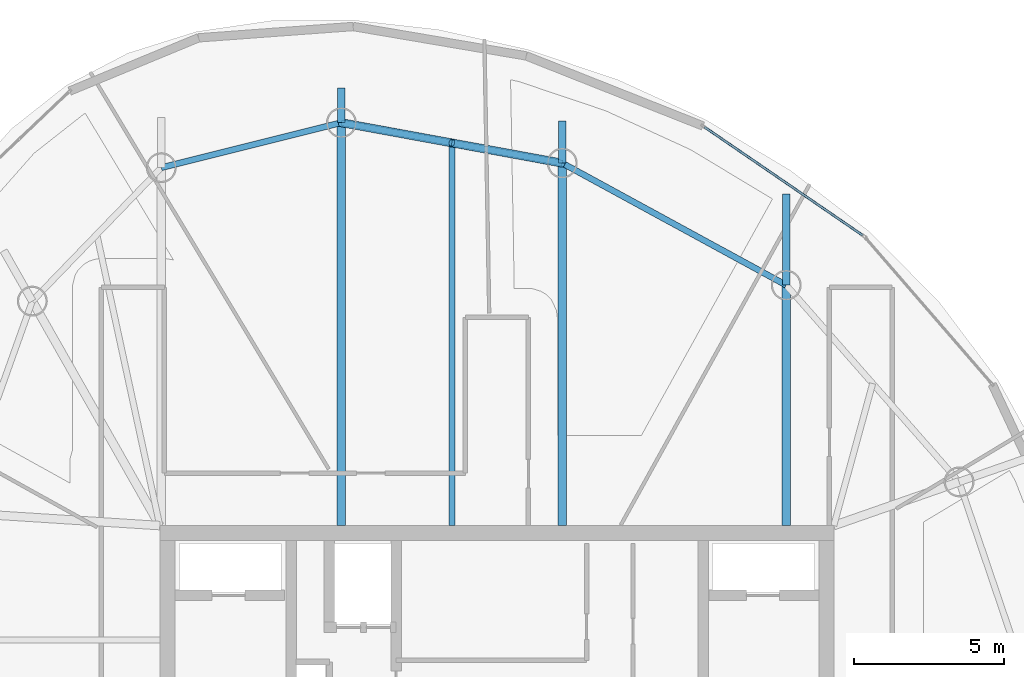
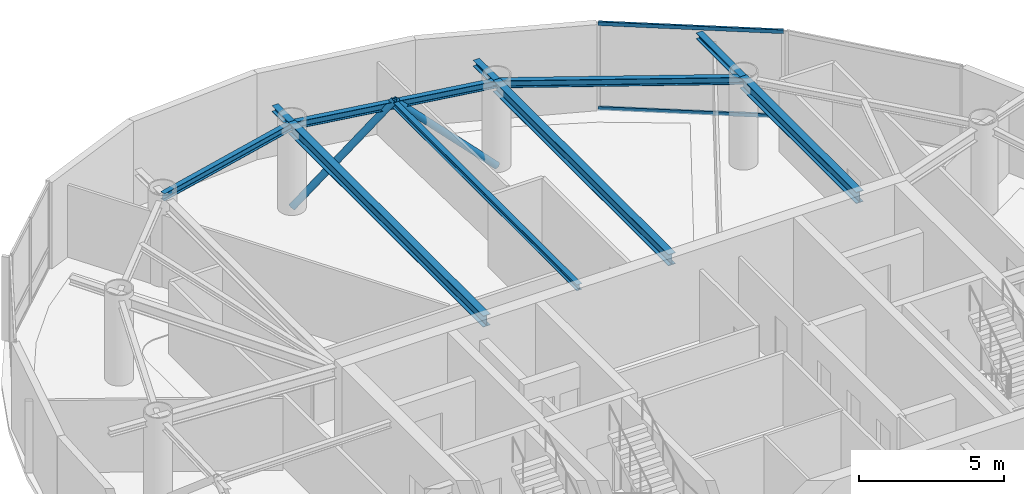
# One storey, part 8 of 16: 10 beams, 4 members, 1 element without a shape of its own.
"""IFC4 building model written with IfcOpenShell, lengths in metres."""

from ifc_helpers import new_model, si_unit, direction, frame, origin, origin_2d, place, context, subcontext, project, spatial, hollow_rectangle, hollow_circle, i_section, extrude, material, layer, layer_set, material_profile, profile_set, type_object, element, aggregate, save


model = new_model("IFC4")

# Units and contexts
model_context = context("Model", 3, precision=1e-05, world=origin(), true_north=direction((0.0, 1.0)))
body_context = subcontext(model_context, "Body", "Model", "MODEL_VIEW")
ifc_project = project(units=[si_unit("LENGTHUNIT", "METRE"), si_unit("AREAUNIT", "SQUARE_METRE"), si_unit("VOLUMEUNIT", "CUBIC_METRE"), si_unit("PLANEANGLEUNIT", "RADIAN"), si_unit("MASSUNIT", "GRAM", prefix="KILO")], contexts=[model_context])

# Site, building, storey
site_placement = place(None, origin())
site = spatial("IfcSite", under=ifc_project, at=site_placement, CompositionType="ELEMENT")
building_placement = place(site_placement, origin())
building = spatial("IfcBuilding", under=site, at=building_placement, Name="Bramvorn Convention Spire", CompositionType="ELEMENT")
storey_placement = place(building_placement, frame((0.0, 0.0, 261.300048828125)))
storey = spatial("IfcBuildingStorey", under=building, at=storey_placement, Name="L66", CompositionType="ELEMENT", Elevation=261.300048828125)

# Beams
ifc_material_1 = material(Name="Steel CSA G40.21 Grade 350 (350W)", Category="steel")
ifc_material_profile_1 = material_profile(ifc_material_1, i_section(OverallWidth=0.201904296875, OverallDepth=0.2470703125, WebThickness=0.00732421875, FlangeThickness=0.010986328125, FilletRadius=0.011962890625, at=origin_2d()))
ifc_profile_set_1 = profile_set([ifc_material_profile_1], Name="Steel CSA G40.21 Grade 350 (350W) - W250X49")
beam_type_1 = type_object("IfcBeamType", Name="BM-W250X49", PredefinedType="JOIST", material=ifc_profile_set_1)
beam_1_placement = place(storey_placement, frame((36.498046875, 33.449951171875, 3.50146484375), z_axis=(0.0, 1.0, 0.0), x_axis=(-1.0, 0.0, 0.0)))
element("IfcBeam", 1, at=beam_1_placement, inside=storey, type_object=beam_type_1, Name="L66 composite floor joist 07", PredefinedType="JOIST", context=body_context, shape_type="SweptSolid", body=[
    extrude(i_section(OverallWidth=0.201904296875, OverallDepth=0.2470703125, WebThickness=0.00732421875, FlangeThickness=0.010986328125, FilletRadius=0.011962890625, at=origin_2d()), origin(), (0.0, 0.0, 1.0), 12.77587890625),
])
ifc_material_profile_2 = material_profile(ifc_material_1, i_section(OverallWidth=0.25390625, OverallDepth=0.2529296875, WebThickness=0.008544921875, FlangeThickness=0.01416015625, FilletRadius=0.011962890625, at=origin_2d()))
ifc_profile_set_2 = profile_set([ifc_material_profile_2], Name="Steel CSA G40.21 Grade 350 (350W) - W250X73")
beam_type_2 = type_object("IfcBeamType", Name="BM-W250X73", PredefinedType="BEAM", material=ifc_profile_set_2)
beam_2_placement = place(storey_placement, frame((47.662353515625, 41.476806640625, 3.49853515625), z_axis=(0.0, 1.0, 0.0), x_axis=(-1.0, 0.0, 0.0)))
element("IfcBeam", 2, at=beam_2_placement, inside=storey, type_object=beam_type_2, Name="L66 slab-edge cantilever tip beam MC06", PredefinedType="BEAM", context=body_context, shape_type="SweptSolid", body=[
    extrude(i_section(OverallWidth=0.25390625, OverallDepth=0.2529296875, WebThickness=0.008544921875, FlangeThickness=0.01416015625, FilletRadius=0.011962890625, at=origin_2d()), origin(), (0.0, 0.0, 1.0), 3.046630859375),
])
beam_3_placement = place(storey_placement, frame((40.1845703125, 45.55078125, 3.49853515625), z_axis=(0.0, 1.0, 0.0), x_axis=(-1.0, 0.0, 0.0)))
element("IfcBeam", 3, at=beam_3_placement, inside=storey, type_object=beam_type_2, Name="L66 slab-edge cantilever tip beam MC07", PredefinedType="BEAM", context=body_context, shape_type="SweptSolid", body=[
    extrude(i_section(OverallWidth=0.25390625, OverallDepth=0.2529296875, WebThickness=0.008544921875, FlangeThickness=0.01416015625, FilletRadius=0.011962890625, at=origin_2d()), origin(), (0.0, 0.0, 1.0), 1.398681640625),
])
beam_4_placement = place(storey_placement, frame((32.8115234375, 46.90087890625, 3.49853515625), z_axis=(0.0, 1.0, 0.0), x_axis=(-1.0, 0.0, 0.0)))
element("IfcBeam", 4, at=beam_4_placement, inside=storey, type_object=beam_type_2, Name="L66 slab-edge cantilever tip beam MC08", PredefinedType="BEAM", context=body_context, shape_type="SweptSolid", body=[
    extrude(i_section(OverallWidth=0.25390625, OverallDepth=0.2529296875, WebThickness=0.008544921875, FlangeThickness=0.01416015625, FilletRadius=0.011962890625, at=origin_2d()), origin(), (0.0, 0.0, 1.0), 1.152587890625),
])
ifc_material_profile_3 = material_profile(ifc_material_1, i_section(OverallWidth=0.202880859375, OverallDepth=0.302978515625, WebThickness=0.007568359375, FlangeThickness=0.01318359375, FilletRadius=0.013916015625, at=origin_2d()))
ifc_profile_set_3 = profile_set([ifc_material_profile_3], Name="Steel CSA G40.21 Grade 350 (350W) - W310X60")
beam_type_3 = type_object("IfcBeamType", Name="BM-W310X60", PredefinedType="JOIST", material=ifc_profile_set_3)
beam_5_placement = place(storey_placement, frame((47.662353515625, 41.476806640625, 3.473388671875), z_axis=(-0.878133224771, 0.478416178189, 0.0), x_axis=(-0.478416178189, -0.878133224771, 0.0)))
element("IfcBeam", 5, at=beam_5_placement, inside=storey, type_object=beam_type_3, Name="L66 mega-column ring beam 06", PredefinedType="JOIST", context=body_context, shape_type="SweptSolid", body=[
    extrude(i_section(OverallWidth=0.202880859375, OverallDepth=0.302978515625, WebThickness=0.007568359375, FlangeThickness=0.01318359375, FilletRadius=0.013916015625, at=origin_2d()), origin(), (0.0, 0.0, 1.0), 8.515625),
])
beam_6_placement = place(storey_placement, frame((40.1845703125, 45.55078125, 3.473388671875), z_axis=(-0.983645049461, 0.180117785547, 0.0), x_axis=(-0.180117785547, -0.983645049461, 0.0)))
element("IfcBeam", 6, at=beam_6_placement, inside=storey, type_object=beam_type_3, Name="L66 mega-column ring beam 07", PredefinedType="JOIST", context=body_context, shape_type="SweptSolid", body=[
    extrude(i_section(OverallWidth=0.202880859375, OverallDepth=0.302978515625, WebThickness=0.007568359375, FlangeThickness=0.01318359375, FilletRadius=0.013916015625, at=origin_2d()), origin(), (0.0, 0.0, 1.0), 7.49560546875),
])
beam_7_placement = place(storey_placement, frame((32.8115234375, 46.90087890625, 3.473388671875), z_axis=(-0.970177255997, -0.24239655927, 0.0), x_axis=(0.24239655927, -0.970177255997, 0.0)))
element("IfcBeam", 7, at=beam_7_placement, inside=storey, type_object=beam_type_3, Name="L66 mega-column ring beam 08", PredefinedType="JOIST", context=body_context, shape_type="SweptSolid", body=[
    extrude(i_section(OverallWidth=0.202880859375, OverallDepth=0.302978515625, WebThickness=0.007568359375, FlangeThickness=0.01318359375, FilletRadius=0.013916015625, at=origin_2d()), origin(), (0.0, 0.0, 1.0), 6.1962890625),
])
ifc_material_profile_4 = material_profile(ifc_material_1, i_section(OverallWidth=0.283935546875, OverallDepth=0.47607421875, WebThickness=0.014892578125, FlangeThickness=0.02392578125, FilletRadius=0.01806640625, at=origin_2d()))
ifc_profile_set_4 = profile_set([ifc_material_profile_4], Name="Steel CSA G40.21 Grade 350 (350W) - W460X158")
beam_type_4 = type_object("IfcBeamType", Name="BM-W460X158", PredefinedType="SPANDREL", material=ifc_profile_set_4)
beam_8_placement = place(storey_placement, frame((47.662353515625, 33.449951171875, 3.386962890625), z_axis=(0.0, 1.0, 0.0), x_axis=(-1.0, 0.0, 0.0)))
element("IfcBeam", 8, at=beam_8_placement, inside=storey, type_object=beam_type_4, Name="L66 radial floor girder MC06", PredefinedType="SPANDREL", context=body_context, shape_type="SweptSolid", body=[
    extrude(i_section(OverallWidth=0.283935546875, OverallDepth=0.47607421875, WebThickness=0.014892578125, FlangeThickness=0.02392578125, FilletRadius=0.01806640625, at=origin_2d()), origin(), (0.0, 0.0, 1.0), 8.02685546875),
])
beam_9_placement = place(storey_placement, frame((40.1845703125, 33.449951171875, 3.386962890625), z_axis=(0.0, 1.0, 0.0), x_axis=(-1.0, 0.0, 0.0)))
element("IfcBeam", 9, at=beam_9_placement, inside=storey, type_object=beam_type_4, Name="L66 radial floor girder MC07", PredefinedType="SPANDREL", context=body_context, shape_type="SweptSolid", body=[
    extrude(i_section(OverallWidth=0.283935546875, OverallDepth=0.47607421875, WebThickness=0.014892578125, FlangeThickness=0.02392578125, FilletRadius=0.01806640625, at=origin_2d()), origin(), (0.0, 0.0, 1.0), 12.100830078125),
])
beam_10_placement = place(storey_placement, frame((32.8115234375, 33.449951171875, 3.386962890625), z_axis=(0.0, 1.0, 0.0), x_axis=(-1.0, 0.0, 0.0)))
element("IfcBeam", 10, at=beam_10_placement, inside=storey, type_object=beam_type_4, Name="L66 radial floor girder MC08", PredefinedType="SPANDREL", context=body_context, shape_type="SweptSolid", body=[
    extrude(i_section(OverallWidth=0.283935546875, OverallDepth=0.47607421875, WebThickness=0.014892578125, FlangeThickness=0.02392578125, FilletRadius=0.01806640625, at=origin_2d()), origin(), (0.0, 0.0, 1.0), 13.450927734375),
])

# Curtain wall, members
ifc_material_2 = material(Name="Anodised Bronze Unitised Curtain Wall", Category="aluminium")
ifc_layer = layer(ifc_material_2, 0.179931640625)
ifc_layer_set = layer_set([ifc_layer], Name="Anodised Bronze Unitised Curtain Wall - CW-OFF-FRIT")
curtain_wall_type = type_object("IfcCurtainWallType", Name="CW-OFF-FRIT", PredefinedType="USERDEFINED", material=ifc_layer_set)
curtain_wall_placement = place(storey_placement, origin())
curtain_wall = element("IfcCurtainWall", 11, at=curtain_wall_placement, inside=storey, type_object=curtain_wall_type, Name="L66 fritted glass curtain wall 08", ObjectType="UNITISED CURTAIN WALL", PredefinedType="USERDEFINED")
ifc_material_3 = material(Name="Anodised Bronze Aluminium 6063-T6", Category="aluminium")
ifc_material_profile_5 = material_profile(ifc_material_3, hollow_rectangle(XDim=0.080078125, YDim=0.159912109375, WallThickness=0.00390625, InnerFilletRadius=0.0009765625, OuterFilletRadius=0.00390625, at=origin_2d()))
ifc_profile_set_5 = profile_set([ifc_material_profile_5], Name="Anodised Bronze Aluminium 6063-T6 - CWT80X160")
member_type_1 = type_object("IfcMemberType", Name="CW-TRN-150", PredefinedType="USERDEFINED", material=ifc_profile_set_5)
member_1_placement = place(storey_placement, frame((44.93017578125, 46.7578125, 0.030029296875), z_axis=(0.825204421402, -0.564834190625, 0.0), x_axis=(0.564834190625, 0.825204421402, 0.0)))
member_1 = element("IfcMember", 12, at=member_1_placement, type_object=member_type_1, Name="CW3 transom 1.1", ObjectType="TRANSOM", PredefinedType="USERDEFINED", context=body_context, shape_type="SweptSolid", body=[
    extrude(hollow_rectangle(XDim=0.080078125, YDim=0.159912109375, WallThickness=0.00390625, InnerFilletRadius=0.0009765625, OuterFilletRadius=0.00390625, at=origin_2d()), origin(), (0.0, 0.0, 1.0), 6.40625),
])
member_2_placement = place(storey_placement, frame((44.93017578125, 46.7578125, 3.594970703125), z_axis=(0.825204421402, -0.564834190625, 0.0), x_axis=(0.564834190625, 0.825204421402, 0.0)))
member_2 = element("IfcMember", 13, at=member_2_placement, type_object=member_type_1, Name="CW3 transom 1.2", ObjectType="TRANSOM", PredefinedType="USERDEFINED", context=body_context, shape_type="SweptSolid", body=[
    extrude(hollow_rectangle(XDim=0.080078125, YDim=0.159912109375, WallThickness=0.00390625, InnerFilletRadius=0.0009765625, OuterFilletRadius=0.00390625, at=origin_2d()), origin(), (0.0, 0.0, 1.0), 6.40625),
])
aggregate(curtain_wall, [member_1, member_2])

# Members
ifc_material_profile_6 = material_profile(ifc_material_1, hollow_circle(Radius=0.136474609375, WallThickness=0.0126953125, at=origin_2d()))
ifc_profile_set_6 = profile_set([ifc_material_profile_6], Name="Steel CSA G40.21 Grade 350 (350W) - CHS273X13")
member_type_2 = type_object("IfcMemberType", Name="MBR-CHS273X13", PredefinedType="BRACE", material=ifc_profile_set_6)
for number, where, z_axis, x_axis, name in (
    (14, (40.1845703125, 45.55078125, 0.0), (-0.707030558805, 0.129466191728, 0.69523110842), (-0.180117785547, -0.983645049461, 0.0), "L66 perimeter Gothic lancet brace 7A"),
    (15, (32.8115234375, 46.90087890625, 0.0), (0.707030558805, -0.129466191728, 0.69523110842), (0.180117785547, 0.983645049461, 0.0), "L66 perimeter Gothic lancet brace 7B"),
):
    element("IfcMember", number, at=place(storey_placement, frame(where, z_axis=z_axis, x_axis=x_axis)), inside=storey, type_object=member_type_2, Name=name, PredefinedType="BRACE", context=body_context, shape_type="SweptSolid", body=[
        extrude(hollow_circle(Radius=0.136474609375, WallThickness=0.0126953125, at=origin_2d()), origin(), (0.0, 0.0, 1.0), 5.214111328125),
    ])

save(model, "model.ifc")
